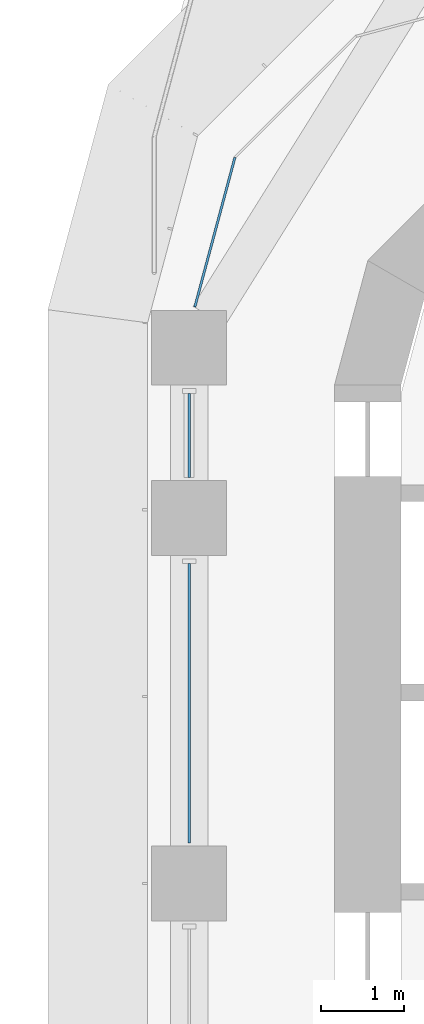
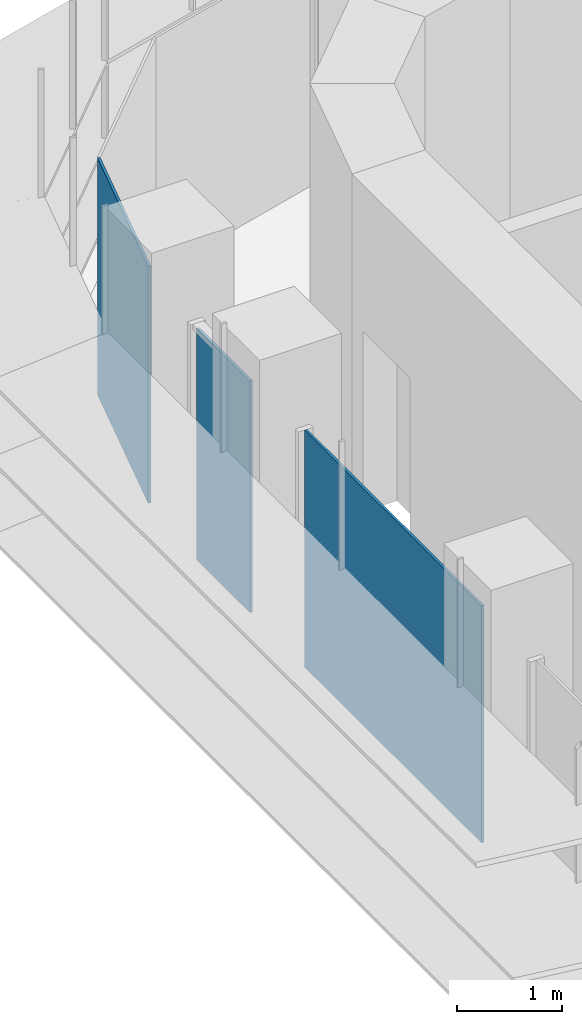
# One storey, part 13 of 22: 3 plates, 2 elements without a shape of their own.
"""IFC4 building model written with IfcOpenShell, lengths in metres."""

from ifc_helpers import new_model, si_unit, direction, frame, origin, place, context, subcontext, project, spatial, polyline, outline, extrude, source, transform, mapped, material, layer, layer_set, type_object, element, aggregate, save


model = new_model("IFC4")

# Units and contexts
model_context = context("Model", 3, precision=1e-05, world=origin(), true_north=direction((0.0, 1.0)))
body_context = subcontext(model_context, "Body", "Model", "MODEL_VIEW")
ifc_project = project(units=[si_unit("LENGTHUNIT", "METRE"), si_unit("AREAUNIT", "SQUARE_METRE"), si_unit("VOLUMEUNIT", "CUBIC_METRE"), si_unit("PLANEANGLEUNIT", "RADIAN"), si_unit("MASSUNIT", "GRAM", prefix="KILO")], contexts=[model_context])

# Site, building, storey
site_placement = place(None, origin())
site = spatial("IfcSite", under=ifc_project, at=site_placement, CompositionType="ELEMENT")
building_placement = place(site_placement, origin())
building = spatial("IfcBuilding", under=site, at=building_placement, Name="Zarbagh Exchange Tower", CompositionType="ELEMENT")
storey_placement = place(building_placement, frame((0.0, 0.0, 94.199951171875)))
storey = spatial("IfcBuildingStorey", under=building, at=storey_placement, Name="L21", CompositionType="ELEMENT", Elevation=94.199951171875)

# Curtain wall, plate
ifc_material_1 = material(Name="Anodised aluminium frame and glazing", Category="aluminium")
curtain_wall_type = type_object("IfcCurtainWallType", Name="CWA Ribbon glazing, lower zones", PredefinedType="NOTDEFINED", material=ifc_material_1)
curtain_wall_1_placement = place(storey_placement, origin())
curtain_wall_1 = element("IfcCurtainWall", 1, at=curtain_wall_1_placement, inside=storey, type_object=curtain_wall_type, Name="CWA56 curtain wall", PredefinedType="NOTDEFINED")
ifc_material_2 = material(Name="Low-e double glazed unit, 6+12+6 mm")
ifc_layer = layer(ifc_material_2, 0.028076171875)
ifc_layer_set = layer_set([ifc_layer], Name="PAA Glazing panel, Low-e double glazed unit, 6+12+6 mm")
plate_type = type_object("IfcPlateType", Name="PAA Glazing panel, Low-e double glazed unit, 6+12+6 mm", PredefinedType="CURTAIN_PANEL", material=ifc_layer_set)
shared_shape_1 = source(origin(), body_context, "Body", "SweptSolid", [
    extrude(outline(polyline([(0.0, -0.013916015625), (3.360107421875, -0.013916015625), (3.360107421875, 0.013916015625), (0.0, 0.013916015625), (0.0, -0.013916015625)])), origin(), (0.0, 0.0, 1.0), 2.75),
])
placement = place(storey_placement, origin())
plate_1 = element("IfcPlate", 2, at=placement, type_object=plate_type, Name="CWA56 glazing panel 2.1", PredefinedType="CURTAIN_PANEL", context=body_context, shape_type="MappedRepresentation", body=[
    mapped(shared_shape_1, transform((-6.25, 24.099853515625, 0.0), x_axis=(0.0, -1.0, 0.0), y_axis=(1.0, 0.0, 0.0), z_axis=(0.0, 0.0, 1.0))),
])

curtain_wall_2_placement = place(storey_placement, origin())
curtain_wall_2 = element("IfcCurtainWall", 3, at=curtain_wall_2_placement, inside=storey, type_object=curtain_wall_type, Name="CWA55 curtain wall", PredefinedType="NOTDEFINED")
shared_shape_2 = source(origin(), body_context, "Body", "SweptSolid", [
    extrude(outline(polyline([(0.0, -0.013916015625), (1.86474609375, -0.013916015625), (1.86474609375, 0.013916015625), (0.0, 0.013916015625), (0.0, -0.013916015625)])), origin(), (0.0, 0.0, 1.0), 2.75),
])
plate_2 = element("IfcPlate", 4, at=placement, type_object=plate_type, Name="CWA55 glazing panel 1.1", PredefinedType="CURTAIN_PANEL", context=body_context, shape_type="MappedRepresentation", body=[
    mapped(shared_shape_2, transform((-5.69873046875, 28.9912109375, 0.0), x_axis=(-0.258824779902, -0.965924289636, 0.0), y_axis=(0.965924289636, -0.258824779902, 0.0), z_axis=(0.0, 0.0, 1.0))),
])
aggregate(curtain_wall_2, [plate_2])

# Plate
shared_shape_3 = source(origin(), body_context, "Body", "SweptSolid", [
    extrude(outline(polyline([(0.0, -0.013916015625), (1.010009765625, -0.013916015625), (1.010009765625, 0.013916015625), (0.0, 0.013916015625), (0.0, -0.013916015625)])), origin(), (0.0, 0.0, 1.0), 2.68994140625),
])
plate_3 = element("IfcPlate", 5, at=placement, type_object=plate_type, Name="CWA56 glazing panel 1.1", PredefinedType="CURTAIN_PANEL", context=body_context, shape_type="MappedRepresentation", body=[
    mapped(shared_shape_3, transform((-6.25, 26.14990234375, 0.0), x_axis=(0.0, -1.0, 0.0), y_axis=(1.0, 0.0, 0.0), z_axis=(0.0, 0.0, 1.0))),
])

aggregate(curtain_wall_1, [plate_3, plate_1])

save(model, "model.ifc")
